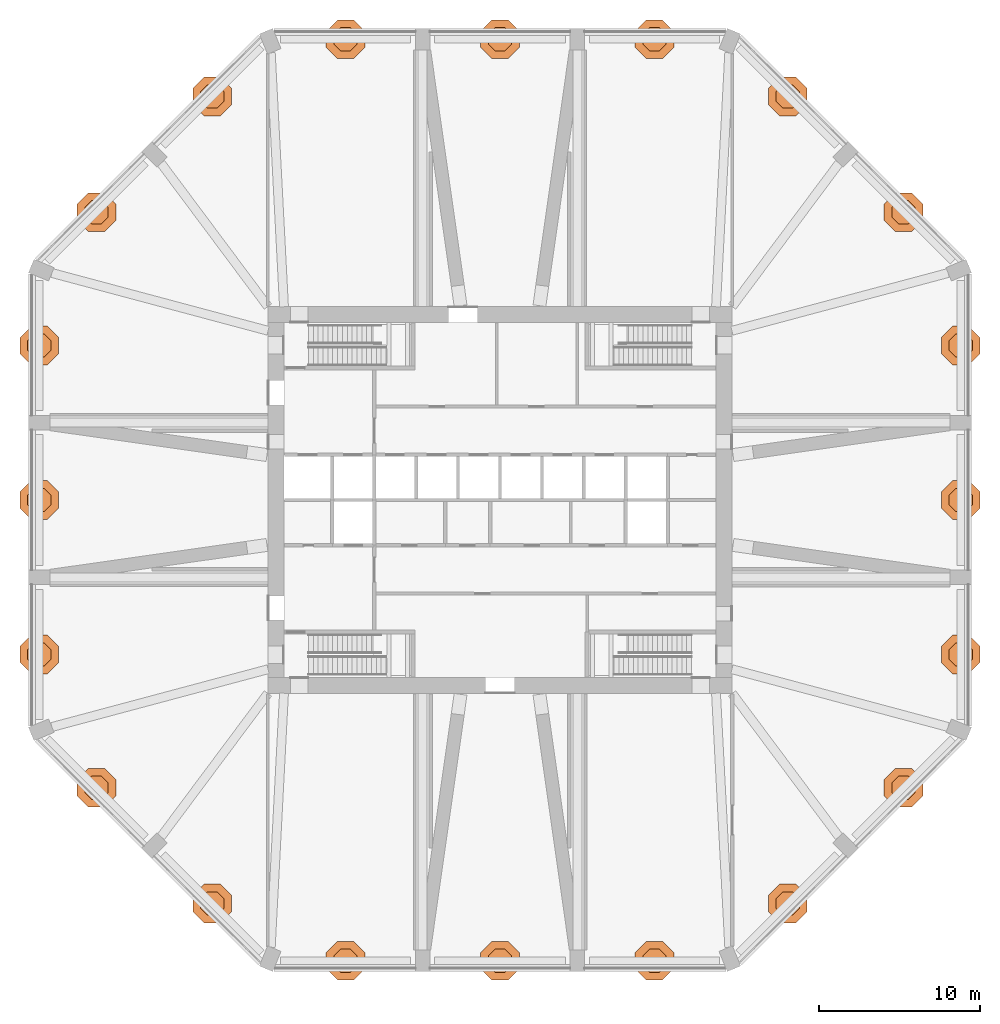
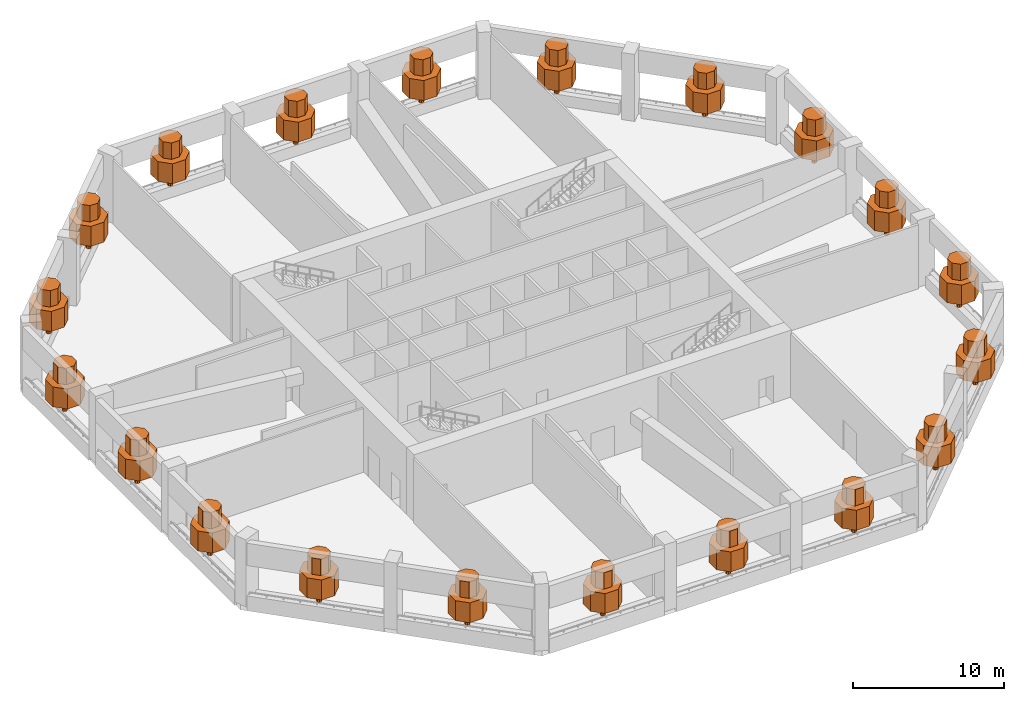
# One storey, part 9 of 9: 20 geographic elements.
"""IFC4 building model written with IfcOpenShell, lengths in metres."""

from ifc_helpers import new_model, si_unit, direction, frame, origin, place, context, subcontext, project, spatial, polyline, outline, extrude, material, type_object, element, save


model = new_model("IFC4")

# Units and contexts
model_context = context("Model", 3, precision=1e-05, world=origin(), true_north=direction((0.0, 1.0)))
body_context = subcontext(model_context, "Body", "Model", "MODEL_VIEW")
ifc_project = project(units=[si_unit("LENGTHUNIT", "METRE"), si_unit("AREAUNIT", "SQUARE_METRE"), si_unit("VOLUMEUNIT", "CUBIC_METRE"), si_unit("PLANEANGLEUNIT", "RADIAN"), si_unit("MASSUNIT", "GRAM", prefix="KILO")], contexts=[model_context])

# Site, building, storey
site_placement = place(None, origin())
site = spatial("IfcSite", under=ifc_project, at=site_placement, CompositionType="ELEMENT")
building_placement = place(site_placement, origin())
building = spatial("IfcBuilding", under=site, at=building_placement, Name="Msitu Wima Residences", CompositionType="ELEMENT")
storey_placement = place(building_placement, frame((0.0, 0.0, 101.10009765625)))
storey = spatial("IfcBuildingStorey", under=building, at=storey_placement, Name="L23", CompositionType="ELEMENT", Elevation=101.10009765625)

# Geographic elements
ifc_material = material(Name="Foliage and planting")
geographic_element_type = type_object("IfcGeographicElementType", Name="Tree TR1", PredefinedType="USERDEFINED", material=ifc_material)
for number, where, z_axis, x_axis, name in (
    (1, (28.574951171875, -9.58154296875, 0.89990234375), (0.0, 0.0, 1.0), (1.0, 0.0, 0.0), "Tree refuge L23-E0"),
    (2, (28.574951171875, 0.0, 0.89990234375), (0.0, 0.0, 1.0), (1.0, 0.0, 0.0), "Tree refuge L23-E1"),
    (3, (28.574951171875, 9.58154296875, 0.89990234375), (0.0, 0.0, 1.0), (1.0, 0.0, 0.0), "Tree refuge L23-E2"),
    (4, (25.02783203125, 17.85400390625, 0.89990234375), (0.0, 0.0, 1.0), (1.0, 0.0, 0.0), "Tree refuge L23-NE0"),
    (5, (17.85400390625, 25.02783203125, 0.89990234375), (0.0, 0.0, 1.0), (1.0, 0.0, 0.0), "Tree refuge L23-NE1"),
    (6, (9.58154296875, 28.574951171875, 0.89990234375), (0.0, 0.0, 1.0), (1.0, 0.0, 0.0), "Tree refuge L23-N0"),
    (7, (0.0, 28.574951171875, 0.89990234375), (0.0, 0.0, 1.0), (1.0, 0.0, 0.0), "Tree refuge L23-N1"),
    (8, (-9.58154296875, 28.574951171875, 0.89990234375), (0.0, 0.0, 1.0), (1.0, 0.0, 0.0), "Tree refuge L23-N2"),
    (9, (-17.85400390625, 25.02783203125, 0.89990234375), (0.0, 0.0, 1.0), (1.0, 0.0, 0.0), "Tree refuge L23-NW0"),
    (10, (-25.02783203125, 17.85400390625, 0.89990234375), (0.0, 0.0, 1.0), (1.0, 0.0, 0.0), "Tree refuge L23-NW1"),
    (11, (-28.574951171875, 9.58154296875, 0.89990234375), (0.0, 0.0, 1.0), (1.0, 0.0, 0.0), "Tree refuge L23-W0"),
    (12, (-28.574951171875, 0.0, 0.89990234375), (0.0, 0.0, 1.0), (1.0, 0.0, 0.0), "Tree refuge L23-W1"),
    (13, (-28.574951171875, -9.58154296875, 0.89990234375), (0.0, 0.0, 1.0), (1.0, 0.0, 0.0), "Tree refuge L23-W2"),
    (14, (-25.02783203125, -17.85400390625, 0.89990234375), (0.0, 0.0, 1.0), (1.0, 0.0, 0.0), "Tree refuge L23-SW0"),
    (15, (-17.85400390625, -25.02783203125, 0.89990234375), (0.0, 0.0, 1.0), (1.0, 0.0, 0.0), "Tree refuge L23-SW1"),
    (16, (-9.58154296875, -28.574951171875, 0.89990234375), (0.0, 0.0, 1.0), (1.0, 0.0, 0.0), "Tree refuge L23-S0"),
    (17, (0.0, -28.574951171875, 0.89990234375), (0.0, 0.0, 1.0), (1.0, 0.0, 0.0), "Tree refuge L23-S1"),
    (18, (9.58154296875, -28.574951171875, 0.89990234375), (0.0, 0.0, 1.0), (1.0, 0.0, 0.0), "Tree refuge L23-S2"),
    (19, (17.85400390625, -25.02783203125, 0.89990234375), (0.0, 0.0, 1.0), (1.0, 0.0, 0.0), "Tree refuge L23-SE0"),
    (20, (25.02783203125, -17.85400390625, 0.89990234375), (0.0, 0.0, 1.0), (1.0, 0.0, 0.0), "Tree refuge L23-SE1"),
):
    element("IfcGeographicElement", number, at=place(storey_placement, frame(where, z_axis=z_axis, x_axis=x_axis)), inside=storey, type_object=geographic_element_type, Name=name, ObjectType="TREE", PredefinedType="USERDEFINED", context=body_context, shape_type="SweptSolid", body=[
        extrude(outline(polyline([(0.175048828125, 0.072509765625), (0.072509765625, 0.175048828125), (-0.072509765625, 0.175048828125), (-0.175048828125, 0.072509765625), (-0.175048828125, -0.072509765625), (-0.072509765625, -0.175048828125), (0.072509765625, -0.175048828125), (0.175048828125, -0.072509765625), (0.175048828125, 0.072509765625)])), origin(), (0.0, 0.0, 1.0), 1.074951171875),
        extrude(outline(polyline([(1.199951171875, 0.4970703125), (0.4970703125, 1.199951171875), (-0.4970703125, 1.199951171875), (-1.199951171875, 0.4970703125), (-1.199951171875, -0.4970703125), (-0.4970703125, -1.199951171875), (0.4970703125, -1.199951171875), (1.199951171875, -0.4970703125), (1.199951171875, 0.4970703125)])), frame((0.0, 0.0, 0.97509765625)), (0.0, 0.0, 1.0), 1.608642578125),
        extrude(outline(polyline([(0.719970703125, 0.298095703125), (0.298095703125, 0.719970703125), (-0.298095703125, 0.719970703125), (-0.719970703125, 0.298095703125), (-0.719970703125, -0.298095703125), (-0.298095703125, -0.719970703125), (0.298095703125, -0.719970703125), (0.719970703125, -0.298095703125), (0.719970703125, 0.298095703125)])), frame((0.0, 0.0, 2.583740234375)), (0.0, 0.0, 1.0), 1.316162109375),
    ])

save(model, "model.ifc")
